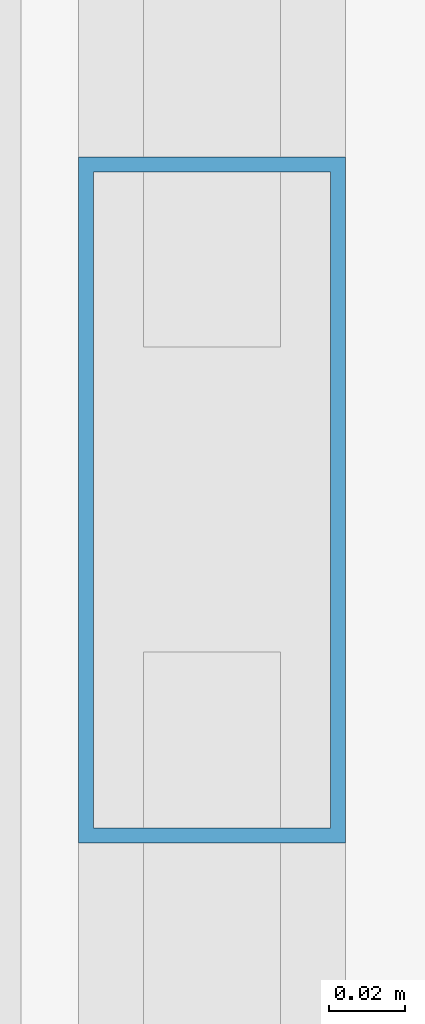
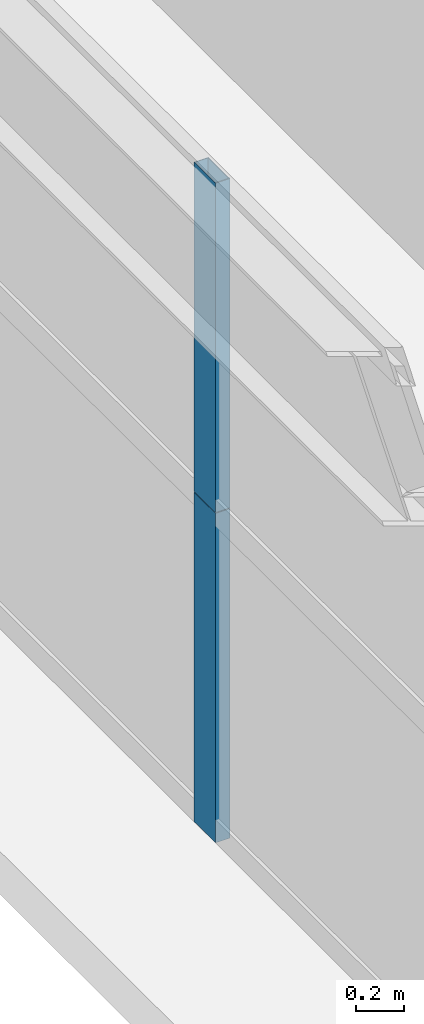
# One storey, part 21 of 39: 2 members, 1 element without a shape of its own.
"""IFC4 building model written with IfcOpenShell, lengths in metres."""

import ifcopenshell
import ifcopenshell.guid

model = None  # the IFC model being written
_history = None  # IfcOwnerHistory: only IFC2X3 demands one
_inside = {}  # id of a spatial element -> (the spatial element, [elements in it])
_under = {}  # id of a project, library or spatial element -> (it, [spatial elements below it])
_declared = {}  # id of a project -> (the project, [libraries it declares])
_typed = {}  # id of a type object -> (the type object, [elements of that type])
_made_of = {}  # id of a material, layer set ... -> (it, [elements and type objects made of it])


def new_model(schema):
    """Start an empty IFC model of exactly this schema.

    Asked for "IFC4X3", IfcOpenShell would pick the latest addendum, in which some entities
    have other attributes; the version numbers below select the first issue.
    IFC2X3 requires an IfcOwnerHistory on every rooted entity: one is made here for all.
    """
    global model, _history
    if schema == "IFC4X3":
        model = ifcopenshell.file(schema_version=(4, 3, 0, 0))
    else:
        model = ifcopenshell.file(schema=schema)
    _inside.clear()
    _under.clear()
    _declared.clear()
    _typed.clear()
    _made_of.clear()
    _history = None
    if model.schema == "IFC2X3":
        org = make("IfcOrganization", Name="unknown")
        user = make(
            "IfcPersonAndOrganization",
            ThePerson=make("IfcPerson", FamilyName="unknown"),
            TheOrganization=org,
        )
        app = make(
            "IfcApplication",
            ApplicationDeveloper=org,
            Version="unknown",
            ApplicationFullName="unknown",
            ApplicationIdentifier="unknown",
        )
        _history = make(
            "IfcOwnerHistory",
            OwningUser=user,
            OwningApplication=app,
            ChangeAction="ADDED",
            CreationDate=0,
        )
    return model


def make(cls, **values):
    """One entity of the class cls with the attributes given. An attribute that is None is left unset."""
    return model.create_entity(
        cls, **{name: value for name, value in values.items() if value is not None}
    )


def rooted(cls, **values):
    """An entity with a GlobalId (a new one), such as an element, a storey or a relation."""
    return make(cls, GlobalId=ifcopenshell.guid.new(), OwnerHistory=_history, **values)


def si_unit(unit_type, name, prefix=None):
    """IfcSIUnit, for example si_unit("LENGTHUNIT", "METRE", prefix="MILLI")."""
    return make("IfcSIUnit", UnitType=unit_type, Prefix=prefix, Name=name)


def assignment(units):
    """IfcUnitAssignment: the units of a project."""
    return None if units is None else make("IfcUnitAssignment", Units=units)


def point(xyz):
    """IfcCartesianPoint."""
    return None if xyz is None else make("IfcCartesianPoint", Coordinates=xyz)


def direction(xyz):
    """IfcDirection."""
    return None if xyz is None else make("IfcDirection", DirectionRatios=xyz)


def frame(location, z_axis=None, x_axis=None):
    """IfcAxis2Placement3D, a coordinate frame: its origin and axes. An axis left out is left unset."""
    return make(
        "IfcAxis2Placement3D",
        Location=point(location),
        Axis=direction(z_axis),
        RefDirection=direction(x_axis),
    )


def frame_2d(location, x_axis=None):
    """IfcAxis2Placement2D, a coordinate frame in the plane: its origin and x axis."""
    return make(
        "IfcAxis2Placement2D", Location=point(location), RefDirection=direction(x_axis)
    )


def origin():
    """The frame at (0, 0, 0) with its axes left unset."""
    return frame((0.0, 0.0, 0.0))


def origin_2d():
    """The frame at (0, 0) in the plane with its x axis left unset."""
    return frame_2d((0.0, 0.0))


def place(relative_to, where):
    """IfcLocalPlacement: puts the frame where relative to a parent placement (None: the world)."""
    return make(
        "IfcLocalPlacement", PlacementRelTo=relative_to, RelativePlacement=where
    )


def context(
    kind, dimensions, precision=None, world=None, true_north=None, identifier=None
):
    """IfcGeometricRepresentationContext, for example the 3D "Model" context."""
    return make(
        "IfcGeometricRepresentationContext",
        ContextIdentifier=identifier,
        ContextType=kind,
        CoordinateSpaceDimension=dimensions,
        Precision=precision,
        WorldCoordinateSystem=world,
        TrueNorth=true_north,
    )


def subcontext(parent, identifier, kind, view, scale=None):
    """IfcGeometricRepresentationSubContext, for example "Body" below "Model"."""
    return make(
        "IfcGeometricRepresentationSubContext",
        ContextIdentifier=identifier,
        ContextType=kind,
        ParentContext=parent,
        TargetScale=scale,
        TargetView=view,
    )


def project(units=None, contexts=None):
    """IfcProject with its units and contexts."""
    return rooted(
        "IfcProject",
        Name="project",
        RepresentationContexts=contexts,
        UnitsInContext=assignment(units),
    )


def spatial(cls, under=None, at=None, **own):
    """A site, building, storey or space (cls), placed at a placement, below another one or the project."""
    s = rooted(cls, ObjectPlacement=at, **own)
    if under is not None:
        _under.setdefault(under.id(), (under, []))[1].append(s)
    return s


def profile(cls, at=None, kind="AREA", **sizes):
    """A parametric profile (cls). Its sizes go by their IFC names, for example OverallWidth=200.0."""
    return make(cls, ProfileType=kind, Position=at, **sizes)


def hollow_rectangle(**sizes):
    """IfcRectangleHollowProfileDef."""
    return profile("IfcRectangleHollowProfileDef", **sizes)


def extrude(swept, where, along, depth):
    """IfcExtrudedAreaSolid: the profile swept, set in the frame where, extruded along a direction by depth."""
    return make(
        "IfcExtrudedAreaSolid",
        SweptArea=swept,
        Position=where,
        ExtrudedDirection=direction(along),
        Depth=depth,
    )


def shape(context_of_items, identifier, shape_type, items):
    """IfcShapeRepresentation: the items that make up one representation, for example the "Body"."""
    return make(
        "IfcShapeRepresentation",
        ContextOfItems=context_of_items,
        RepresentationIdentifier=identifier,
        RepresentationType=shape_type,
        Items=items,
    )


def source(mapping_origin, context_of_items, identifier, shape_type, items):
    """IfcRepresentationMap: a shape defined once, which mapped items show again and again."""
    return make(
        "IfcRepresentationMap",
        MappingOrigin=mapping_origin,
        MappedRepresentation=shape(context_of_items, identifier, shape_type, items),
    )


def transform(
    local_origin,
    x_axis=None,
    y_axis=None,
    z_axis=None,
    scale=None,
    scale2=None,
    scale3=None,
    uniform=True,
):
    """IfcCartesianTransformationOperator3D, or its non-uniform kind. x_axis, y_axis, z_axis: its Axis1, 2, 3."""
    if uniform:
        return make(
            "IfcCartesianTransformationOperator3D",
            Axis1=direction(x_axis),
            Axis2=direction(y_axis),
            LocalOrigin=point(local_origin),
            Scale=scale,
            Axis3=direction(z_axis),
        )
    return make(
        "IfcCartesianTransformationOperator3DnonUniform",
        Axis1=direction(x_axis),
        Axis2=direction(y_axis),
        LocalOrigin=point(local_origin),
        Scale=scale,
        Axis3=direction(z_axis),
        Scale2=scale2,
        Scale3=scale3,
    )


def mapped(mapping_source, mapping_target):
    """IfcMappedItem: shows the shape of a source again, moved by a transform."""
    return make(
        "IfcMappedItem", MappingSource=mapping_source, MappingTarget=mapping_target
    )


def material(Name=None, Category=None):
    """IfcMaterial."""
    return make("IfcMaterial", Name=Name, Category=Category)


def layer(
    of_material, thickness, ventilated=None, Name=None, Category=None, Priority=None
):
    """IfcMaterialLayer: one layer of a wall or slab, of a material (None: an air gap)."""
    return make(
        "IfcMaterialLayer",
        Material=of_material,
        LayerThickness=thickness,
        IsVentilated=ventilated,
        Name=Name,
        Category=Category,
        Priority=Priority,
    )


def layer_set(layers, Name=None):
    """IfcMaterialLayerSet."""
    return make("IfcMaterialLayerSet", MaterialLayers=layers, LayerSetName=Name)


def material_profile(
    of_material, cross_section, Name=None, Category=None, Priority=None
):
    """IfcMaterialProfile: a cross section and its material."""
    return make(
        "IfcMaterialProfile",
        Name=Name,
        Material=of_material,
        Profile=cross_section,
        Priority=Priority,
        Category=Category,
    )


def profile_set(profiles, Name=None, composite=None):
    """IfcMaterialProfileSet."""
    return make(
        "IfcMaterialProfileSet",
        Name=Name,
        MaterialProfiles=profiles,
        CompositeProfile=composite,
    )


def made_of(thing, what):
    """Note that an element or type object is made of a material, layer set ...; save() writes the relation."""
    if what is not None:
        _made_of.setdefault(what.id(), (what, []))[1].append(thing)
    return thing


def type_object(cls, material=None, **own):
    """A type object (cls), such as IfcWallType, which elements share."""
    return made_of(rooted(cls, **own), material)


def element(
    cls,
    number,
    at=None,
    inside=None,
    cuts=None,
    type_object=None,
    material=None,
    context=None,
    identifier="Body",
    shape_type=None,
    held_by="IfcProductDefinitionShape",
    body=None,
    shapes=None,
    **own,
):
    """One element of the class cls, such as IfcWall. Its Tag is "e" and its number.

    at: its placement. inside: the storey or other place that contains it. cuts: it is an
    opening in that element (IfcRelVoidsElement). A single representation is given by context,
    identifier, shape_type and body (its items); several are given by shapes. held_by: the class
    of the entity that holds the representations. save() writes the other relations.
    """
    e = rooted(cls, Tag="e%d" % number, ObjectPlacement=at, **own)
    if body is not None:
        shapes = [shape(context, identifier, shape_type, body)]
    if shapes is not None:
        e.Representation = make(held_by, Representations=shapes)
    if inside is not None:
        _inside.setdefault(inside.id(), (inside, []))[1].append(e)
    if cuts is not None:
        rooted(
            "IfcRelVoidsElement", RelatingBuildingElement=cuts, RelatedOpeningElement=e
        )
    if type_object is not None:
        _typed.setdefault(type_object.id(), (type_object, []))[1].append(e)
    return made_of(e, material)


def aggregate(whole, parts):
    """IfcRelAggregates: a whole, such as a stair, and the parts it consists of."""
    return rooted("IfcRelAggregates", RelatingObject=whole, RelatedObjects=parts)


def save(model, path):
    """Write the relations noted so far, then the file.

    IfcRelAggregates (storeys below a building ...), IfcRelContainedInSpatialStructure (elements
    in a storey), IfcRelDefinesByType, IfcRelAssociatesMaterial and IfcRelDeclares: one each for
    every whole, place, type object, material and project.
    """
    for whole, parts in _under.values():
        aggregate(whole, parts)
    for where, things in _inside.values():
        rooted(
            "IfcRelContainedInSpatialStructure",
            RelatedElements=things,
            RelatingStructure=where,
        )
    for kind, things in _typed.values():
        rooted("IfcRelDefinesByType", RelatedObjects=things, RelatingType=kind)
    for what, things in _made_of.values():
        rooted("IfcRelAssociatesMaterial", RelatedObjects=things, RelatingMaterial=what)
    for by, libraries in _declared.values():
        rooted("IfcRelDeclares", RelatingContext=by, RelatedDefinitions=libraries)
    model.write(path)


model = new_model("IFC4")

# Units and contexts
model_context = context("Model", 3, precision=1e-05, world=origin(), true_north=direction((0.0, 1.0)))
body_context = subcontext(model_context, "Body", "Model", "MODEL_VIEW")
ifc_project = project(units=[si_unit("LENGTHUNIT", "METRE"), si_unit("AREAUNIT", "SQUARE_METRE"), si_unit("VOLUMEUNIT", "CUBIC_METRE"), si_unit("PLANEANGLEUNIT", "RADIAN"), si_unit("MASSUNIT", "GRAM", prefix="KILO"), si_unit("THERMODYNAMICTEMPERATUREUNIT", "KELVIN"), si_unit("POWERUNIT", "WATT")], contexts=[model_context])

# Site, building, storey
site_placement = place(None, origin())
site = spatial("IfcSite", under=ifc_project, at=site_placement, CompositionType="ELEMENT")
building_placement = place(site_placement, origin())
building = spatial("IfcBuilding", under=site, at=building_placement, Name="Yuzanri Waterfront Tower", CompositionType="ELEMENT")
storey_placement = place(building_placement, frame((0.0, 0.0, 134.39990234375)))
storey = spatial("IfcBuildingStorey", under=building, at=storey_placement, Name="L35", CompositionType="ELEMENT", Elevation=134.39990234375)

# Curtain wall, members
ifc_material_1 = material(Name="Anodized Architectural Bronze", Category="metal")
ifc_layer = layer(ifc_material_1, 0.159912109375)
ifc_layer_set = layer_set([ifc_layer], Name="Anodized Architectural Bronze")
curtain_wall_type = type_object("IfcCurtainWallType", Name="Anodized Bronze Hotel Upper-Tier Solar-Control Unitized Curtain Wall 7800", PredefinedType="NOTDEFINED", material=ifc_layer_set)
curtain_wall_placement = place(storey_placement, origin())
curtain_wall = element("IfcCurtainWall", 1, at=curtain_wall_placement, inside=storey, type_object=curtain_wall_type, Name="L35 Curtain Wall CW-L35-WR", PredefinedType="NOTDEFINED")
ifc_material_2 = material(Name="Anodized Architectural Bronze", Category="metal")
ifc_material_profile = material_profile(ifc_material_2, hollow_rectangle(XDim=0.070068359375, YDim=0.179931640625, WallThickness=0.00390625, at=origin_2d()), Name="CWM 70x180")
ifc_profile_set = profile_set([ifc_material_profile], Name="Anodized Architectural Bronze")
member_type = type_object("IfcMemberType", Name="Anodized Bronze Standard Curtain-Wall Mullion 70x180", PredefinedType="MULLION", material=ifc_profile_set)
shared_shape = source(origin(), body_context, "Body", "SweptSolid", [
    extrude(hollow_rectangle(XDim=0.070068359375, YDim=0.179931640625, WallThickness=0.00390625, at=origin_2d()), origin(), (0.0, 0.0, 1.0), 1.68798828125),
])
member_1_placement = place(storey_placement, frame((13.550048828125, 34.14990234375, 0.0), z_axis=(0.0, 0.0, 1.0), x_axis=(1.0, 0.0, 0.0)))
member_1 = element("IfcMember", 2, at=member_1_placement, type_object=member_type, Name="CW-L35-WR Lower Mullion 01", PredefinedType="MULLION", context=body_context, shape_type="MappedRepresentation", body=[
    mapped(shared_shape, transform((0.0, 0.0, 0.0), scale=1.0)),
])
member_2_placement = place(storey_placement, frame((13.550048828125, 34.14990234375, 1.692138671875), z_axis=(0.0, 0.0, 1.0), x_axis=(1.0, 0.0, 0.0)))
member_2 = element("IfcMember", 3, at=member_2_placement, type_object=member_type, Name="CW-L35-WR Upper Mullion 01", PredefinedType="MULLION", context=body_context, shape_type="MappedRepresentation", body=[
    mapped(shared_shape, transform((0.0, 0.0, 0.0), scale=1.0)),
])
aggregate(curtain_wall, [member_1, member_2])

save(model, "model.ifc")
